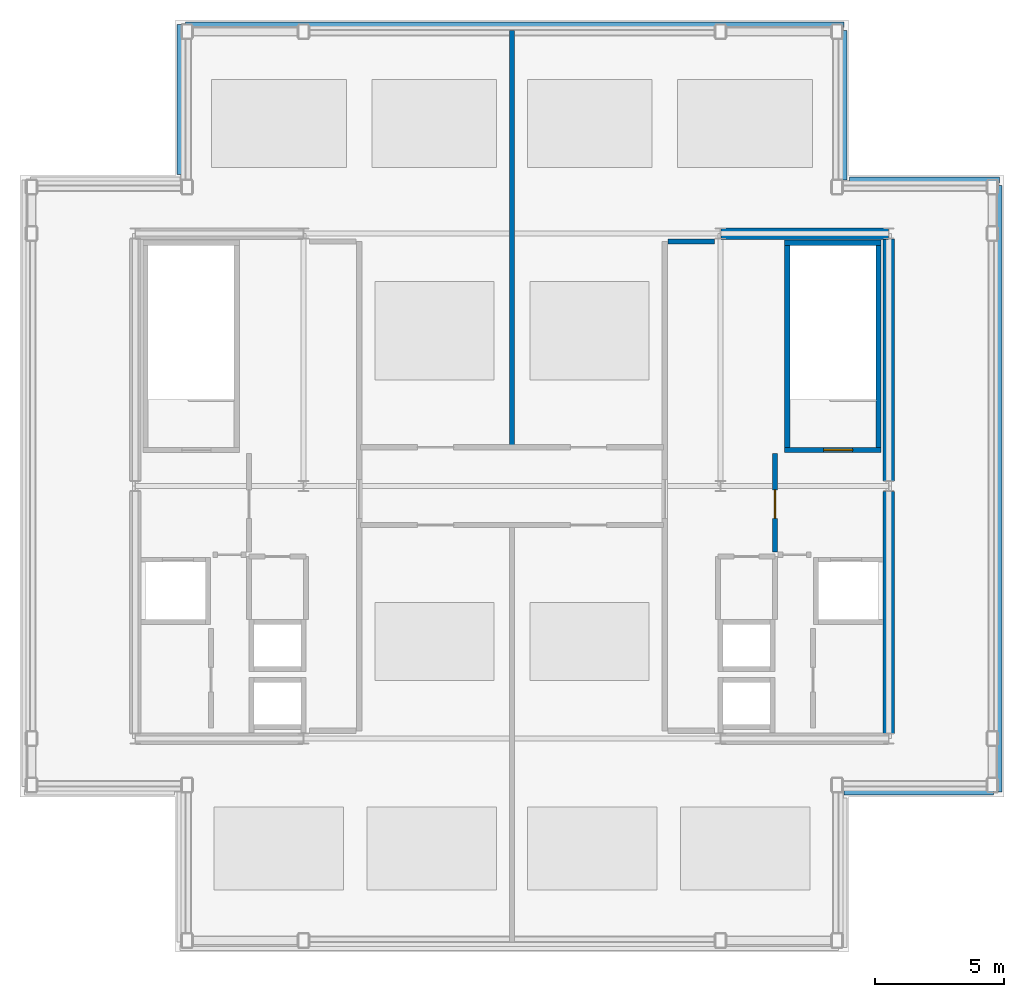
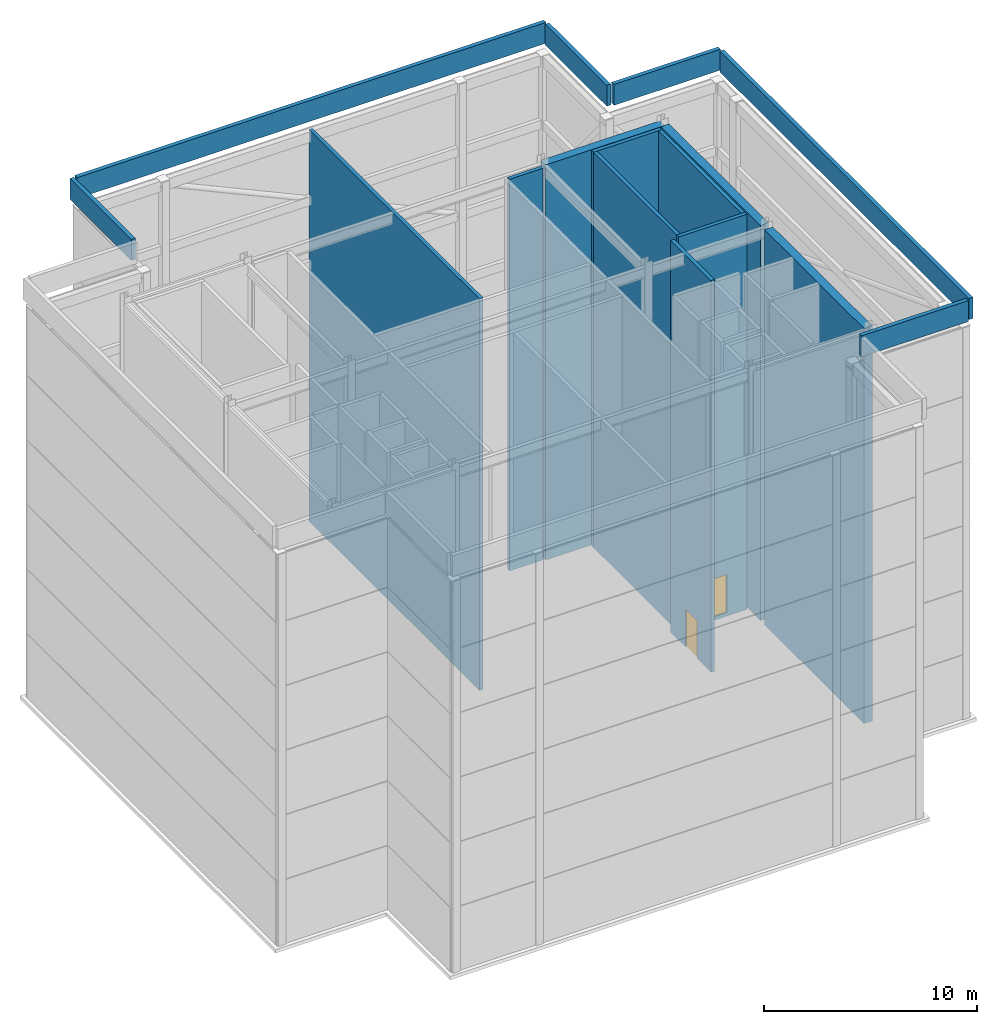
# One storey, part 6 of 8: 16 walls, 2 doors, 2 openings.
"""IFC4 building model written with IfcOpenShell, lengths in metres."""

from ifc_helpers import new_model, si_unit, direction, frame, frame_2d, origin, place, context, subcontext, project, spatial, rectangle, extrude, material, layer, layer_set, type_object, element, fill, save


model = new_model("IFC4")

# Units and contexts
model_context = context("Model", 3, precision=1e-05, world=origin(), true_north=direction((0.0, 1.0)))
body_context = subcontext(model_context, "Body", "Model", "MODEL_VIEW")
ifc_project = project(units=[si_unit("LENGTHUNIT", "METRE"), si_unit("AREAUNIT", "SQUARE_METRE"), si_unit("VOLUMEUNIT", "CUBIC_METRE"), si_unit("PLANEANGLEUNIT", "RADIAN"), si_unit("MASSUNIT", "GRAM", prefix="KILO")], contexts=[model_context])

# Site, building, storey
site_placement = place(None, origin())
site = spatial("IfcSite", under=ifc_project, at=site_placement, CompositionType="ELEMENT")
building_placement = place(site_placement, origin())
building = spatial("IfcBuilding", under=site, at=building_placement, Name="Brelmoor Portico Tower", CompositionType="ELEMENT")
storey_placement = place(building_placement, frame((0.0, 0.0, 289.199951171875)))
storey = spatial("IfcBuildingStorey", under=building, at=storey_placement, Name="L76", CompositionType="ELEMENT", Elevation=289.199951171875)

# Walls
ifc_material_1 = material(Name="Concrete C50", Category="concrete")
ifc_layer_1 = layer(ifc_material_1, 0.449951171875)
ifc_layer_set_1 = layer_set([ifc_layer_1], Name="Concrete C50")
wall_type_1 = type_object("IfcWallType", Name="WL-CORE-450", PredefinedType="SHEAR", material=ifc_layer_set_1)
wall_1_placement = place(storey_placement, frame((8.070068359375, 9.75, -0.199951171875), z_axis=(0.0, 0.0, 1.0), x_axis=(1.0, 0.0, 0.0)))
element("IfcWall", 1, at=wall_1_placement, inside=storey, type_object=wall_type_1, Name="L76 EC North Shear Wall", PredefinedType="SHEAR", context=body_context, shape_type="SweptSolid", body=[
    extrude(rectangle(XDim=6.4599609375, YDim=0.449951171875, at=frame_2d((3.22998046875, 0.0))), origin(), (0.0, 0.0, 1.0), 22.64990234375),
])
for number, where, z_axis, x_axis, name in (
    (2, (14.550048828125, -9.550048828125, -0.199951171875), (0.0, 0.0, 1.0), (0.0, 1.0, 0.0), "L76 EC Outer South Shear Wall"),
    (3, (14.550048828125, 0.199951171875, -0.199951171875), (0.0, 0.0, 1.0), (0.0, 1.0, 0.0), "L76 EC Outer North Shear Wall"),
):
    element("IfcWall", number, at=place(storey_placement, frame(where, z_axis=z_axis, x_axis=x_axis)), inside=storey, type_object=wall_type_1, Name=name, PredefinedType="SHEAR", context=body_context, shape_type="SweptSolid", body=[
        extrude(rectangle(XDim=9.35009765625, YDim=0.449951171875, at=frame_2d((4.675048828125, 0.0))), origin(), (0.0, 0.0, 1.0), 22.64990234375),
    ])
ifc_material_2 = material(Name="Concrete C40 Parapet Upstand", Category="concrete")
ifc_layer_2 = layer(ifc_material_2, 0.219970703125)
ifc_layer_set_2 = layer_set([ifc_layer_2], Name="Concrete C40 Parapet Upstand")
wall_type_2 = type_object("IfcWallType", Name="WL-PARAPET-220", PredefinedType="PARAPET", material=ifc_layer_set_2)
wall_2_placement = place(storey_placement, frame((12.820068359375, -11.820068359375, 22.800048828125), z_axis=(0.0, 0.0, 1.0), x_axis=(1.0, 0.0, 0.0)))
element("IfcWall", 4, at=wall_2_placement, inside=storey, type_object=wall_type_2, Name="L76 Roof Parapet Wall 03", PredefinedType="PARAPET", context=body_context, shape_type="SweptSolid", body=[
    extrude(rectangle(XDim=5.780029296875, YDim=0.219970703125, at=frame_2d((2.89013671875, 0.0))), origin(), (0.0, 0.0, 1.0), 1.199951171875),
])
wall_3_placement = place(storey_placement, frame((18.820068359375, -11.820068359375, 22.800048828125), z_axis=(0.0, 0.0, 1.0), x_axis=(0.0, 1.0, 0.0)))
element("IfcWall", 5, at=wall_3_placement, inside=storey, type_object=wall_type_2, Name="L76 Roof Parapet Wall 04", PredefinedType="PARAPET", context=body_context, shape_type="SweptSolid", body=[
    extrude(rectangle(XDim=23.420166015625, YDim=0.219970703125, at=frame_2d((11.7099609375, 0.0))), origin(), (0.0, 0.0, 1.0), 1.199951171875),
])
for number, where, z_axis, x_axis, name in (
    (6, (18.820068359375, 11.820068359375, 22.800048828125), (0.0, 0.0, 1.0), (-1.0, 0.0, 0.0), "L76 Roof Parapet Wall 05"),
    (7, (12.820068359375, 11.820068359375, 22.800048828125), (0.0, 0.0, 1.0), (0.0, 1.0, 0.0), "L76 Roof Parapet Wall 06"),
):
    element("IfcWall", number, at=place(storey_placement, frame(where, z_axis=z_axis, x_axis=x_axis)), inside=storey, type_object=wall_type_2, Name=name, PredefinedType="PARAPET", context=body_context, shape_type="SweptSolid", body=[
        extrude(rectangle(XDim=5.780029296875, YDim=0.219970703125, at=frame_2d((2.89013671875, 0.0))), origin(), (0.0, 0.0, 1.0), 1.199951171875),
    ])
wall_4_placement = place(storey_placement, frame((12.820068359375, 17.820068359375, 22.800048828125), z_axis=(0.0, 0.0, 1.0), x_axis=(-1.0, 0.0, 0.0)))
element("IfcWall", 8, at=wall_4_placement, inside=storey, type_object=wall_type_2, Name="L76 Roof Parapet Wall 07", PredefinedType="PARAPET", context=body_context, shape_type="SweptSolid", body=[
    extrude(rectangle(XDim=25.420166015625, YDim=0.219970703125, at=frame_2d((12.7099609375, 0.0))), origin(), (0.0, 0.0, 1.0), 1.199951171875),
])
wall_5_placement = place(storey_placement, frame((-12.820068359375, 17.820068359375, 22.800048828125), z_axis=(0.0, 0.0, 1.0), x_axis=(0.0, -1.0, 0.0)))
element("IfcWall", 9, at=wall_5_placement, inside=storey, type_object=wall_type_2, Name="L76 Roof Parapet Wall 08", PredefinedType="PARAPET", context=body_context, shape_type="SweptSolid", body=[
    extrude(rectangle(XDim=5.780029296875, YDim=0.219970703125, at=frame_2d((2.89013671875, 0.0))), origin(), (0.0, 0.0, 1.0), 1.199951171875),
])
ifc_material_3 = material(Name="Double-Stud Gypsum Fire Partition", Category="gypsum")
ifc_layer_3 = layer(ifc_material_3, 0.199951171875)
ifc_layer_set_3 = layer_set([ifc_layer_3], Name="Double-Stud Gypsum Fire Partition")
wall_type_3 = type_object("IfcWallType", Name="WL-PART-200", PredefinedType="PARTITIONING", material=ifc_layer_set_3)
wall_6_placement = place(storey_placement, frame((6.02001953125, 9.449951171875, 0.0), z_axis=(0.0, 0.0, 1.0), x_axis=(1.0, 0.0, 0.0)))
element("IfcWall", 10, at=wall_6_placement, inside=storey, type_object=wall_type_3, Name="L76 E Lift Lobby North End Wall", PredefinedType="PARTITIONING", context=body_context, shape_type="SweptSolid", body=[
    extrude(rectangle(XDim=1.800048828125, YDim=0.199951171875, at=frame_2d((0.89990234375, 0.0))), origin(), (0.0, 0.0, 1.0), 22.449951171875),
])

# Wall, opening, door
wall_7_placement = place(storey_placement, frame((10.159912109375, -2.550048828125, 0.0), z_axis=(0.0, 0.0, 1.0), x_axis=(0.0, 1.0, 0.0)))
wall_7 = element("IfcWall", 11, at=wall_7_placement, inside=storey, type_object=wall_type_3, Name="L76 E Firefighting Lobby Wall", PredefinedType="PARTITIONING", context=body_context, shape_type="SweptSolid", body=[
    extrude(rectangle(XDim=3.800048828125, YDim=0.199951171875, at=frame_2d((1.89990234375, 0.0))), origin(), (0.0, 0.0, 1.0), 22.449951171875),
])
opening_1_placement = place(wall_7_placement, frame((1.300048828125, 0.0, 0.0)))
opening_1 = element("IfcOpeningElement", 12, at=opening_1_placement, cuts=wall_7, Name="Opening D-FR1", PredefinedType="OPENING", context=body_context, shape_type="SweptSolid", body=[
    extrude(rectangle(XDim=1.10009765625, YDim=2.14990234375, at=frame_2d((0.550048828125, 1.074951171875))), frame((0.0, 0.10986328125, 0.0), z_axis=(0.0, -1.0, 0.0), x_axis=(1.0, 0.0, 0.0)), (0.0, 0.0, 1.0), 0.219970703125),
])
ifc_material_4 = material(Name="Painted Galvanised Steel Fire Door", Category="steel")
door_type_1 = type_object("IfcDoorType", Name="DR-FIRE-1100", OperationType="NOTDEFINED", PredefinedType="DOOR", material=ifc_material_4)
door_1_placement = place(opening_1_placement, origin())
door_1 = element("IfcDoor", 13, at=door_1_placement, inside=storey, type_object=door_type_1, Name="D-3080 L76 E Firefighting Lobby Door", OperationType="SINGLE_SWING_RIGHT", OverallHeight=2.14990234375, OverallWidth=1.10009765625, PredefinedType="DOOR", context=body_context, shape_type="SweptSolid", body=[
    extrude(rectangle(XDim=1.10009765625, YDim=2.14990234375, at=frame_2d((0.550048828125, 1.074951171875))), frame((0.0, 0.02490234375, 0.0), z_axis=(0.0, -1.0, 0.0), x_axis=(1.0, 0.0, 0.0)), (0.0, 0.0, 1.0), 0.050048828125),
])
fill(opening_1, door_1)

# Walls
wall_8_placement = place(storey_placement, frame((0.0, 1.580078125, 0.0), z_axis=(0.0, 0.0, 1.0), x_axis=(0.0, 1.0, 0.0)))
element("IfcWall", 14, at=wall_8_placement, inside=storey, type_object=wall_type_3, Name="L76 North Plant Divider", PredefinedType="PARTITIONING", context=body_context, shape_type="SweptSolid", body=[
    extrude(rectangle(XDim=16.02001953125, YDim=0.199951171875, at=frame_2d((8.010009765625, 0.0))), origin(), (0.0, 0.0, 1.0), 22.449951171875),
])
ifc_material_5 = material(Name="Concrete C40", Category="concrete")
ifc_layer_4 = layer(ifc_material_5, 0.199951171875)
ifc_layer_set_4 = layer_set([ifc_layer_4], Name="Concrete C40")
wall_type_4 = type_object("IfcWallType", Name="WL-SHAFT-RC200", PredefinedType="SOLIDWALL", material=ifc_layer_set_4)
wall_9_placement = place(storey_placement, frame((14.14990234375, 1.5, -0.199951171875), z_axis=(0.0, 0.0, 1.0), x_axis=(0.0, 1.0, 0.0)))
element("IfcWall", 15, at=wall_9_placement, inside=storey, type_object=wall_type_4, Name="L76 ST-E Structural Stair Wall Outer", PredefinedType="SOLIDWALL", context=body_context, shape_type="SweptSolid", body=[
    extrude(rectangle(XDim=7.800048828125, YDim=0.199951171875, at=frame_2d((3.89990234375, 0.0))), origin(), (0.0, 0.0, 1.0), 22.64990234375),
])

# Wall, opening, door
wall_10_placement = place(storey_placement, frame((10.530029296875, 1.39990234375, -0.199951171875), z_axis=(0.0, 0.0, 1.0), x_axis=(1.0, 0.0, 0.0)))
wall_10 = element("IfcWall", 16, at=wall_10_placement, inside=storey, type_object=wall_type_4, Name="L76 ST-E Structural Stair Wall S", PredefinedType="SOLIDWALL", context=body_context, shape_type="SweptSolid", body=[
    extrude(rectangle(XDim=3.719970703125, YDim=0.199951171875, at=frame_2d((1.85986328125, 0.0))), origin(), (0.0, 0.0, 1.0), 22.64990234375),
])
opening_2_placement = place(wall_10_placement, frame((1.5, 0.0, 0.199951171875)))
opening_2 = element("IfcOpeningElement", 17, at=opening_2_placement, cuts=wall_10, Name="Opening D-ST1", PredefinedType="OPENING", context=body_context, shape_type="SweptSolid", body=[
    extrude(rectangle(XDim=1.1201171875, YDim=2.179931640625, at=frame_2d((0.56005859375, 1.08984375))), frame((0.0, 0.10986328125, 0.0), z_axis=(0.0, -1.0, 0.0), x_axis=(1.0, 0.0, 0.0)), (0.0, 0.0, 1.0), 0.219970703125),
])
door_type_2 = type_object("IfcDoorType", Name="DR-STAIR-1100", OperationType="NOTDEFINED", PredefinedType="DOOR", material=ifc_material_4)
door_2_placement = place(opening_2_placement, origin())
door_2 = element("IfcDoor", 18, at=door_2_placement, inside=storey, type_object=door_type_2, Name="D-3088 L76 ST-E Protected Exit Stair Door", OperationType="SINGLE_SWING_RIGHT", OverallHeight=2.179931640625, OverallWidth=1.1201171875, PredefinedType="DOOR", context=body_context, shape_type="SweptSolid", body=[
    extrude(rectangle(XDim=1.1201171875, YDim=2.179931640625, at=frame_2d((0.56005859375, 1.08984375))), frame((0.0, 0.02490234375, 0.0), z_axis=(0.0, -1.0, 0.0), x_axis=(1.0, 0.0, 0.0)), (0.0, 0.0, 1.0), 0.050048828125),
])
fill(opening_2, door_2)

# Walls
wall_11_placement = place(storey_placement, frame((10.530029296875, 9.39990234375, -0.199951171875), z_axis=(0.0, 0.0, 1.0), x_axis=(1.0, 0.0, 0.0)))
element("IfcWall", 19, at=wall_11_placement, inside=storey, type_object=wall_type_4, Name="L76 ST-E Structural Stair Wall N", PredefinedType="SOLIDWALL", context=body_context, shape_type="SweptSolid", body=[
    extrude(rectangle(XDim=3.719970703125, YDim=0.199951171875, at=frame_2d((1.85986328125, 0.0))), origin(), (0.0, 0.0, 1.0), 22.64990234375),
])
wall_12_placement = place(storey_placement, frame((10.6298828125, 1.5, -0.199951171875), z_axis=(0.0, 0.0, 1.0), x_axis=(0.0, 1.0, 0.0)))
element("IfcWall", 20, at=wall_12_placement, inside=storey, type_object=wall_type_4, Name="L76 ST-E Structural Stair Wall Inner", PredefinedType="SOLIDWALL", context=body_context, shape_type="SweptSolid", body=[
    extrude(rectangle(XDim=7.800048828125, YDim=0.199951171875, at=frame_2d((3.89990234375, 0.0))), origin(), (0.0, 0.0, 1.0), 22.64990234375),
])

save(model, "model.ifc")
